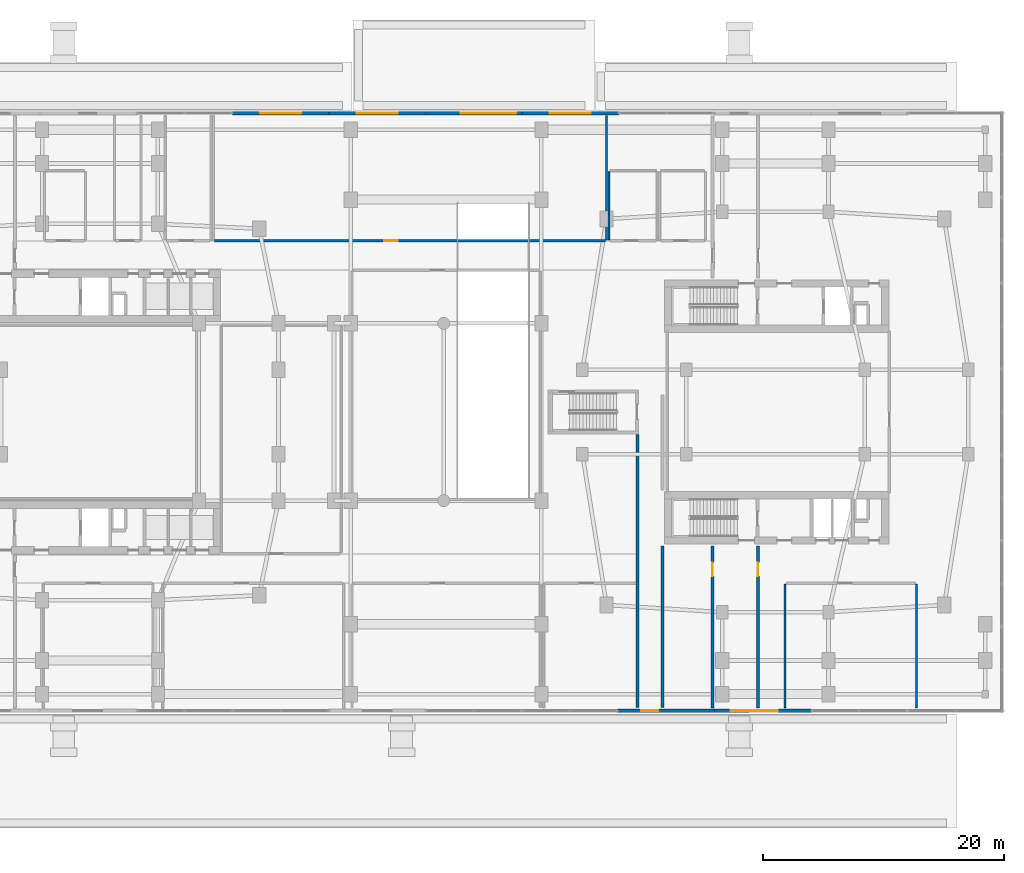
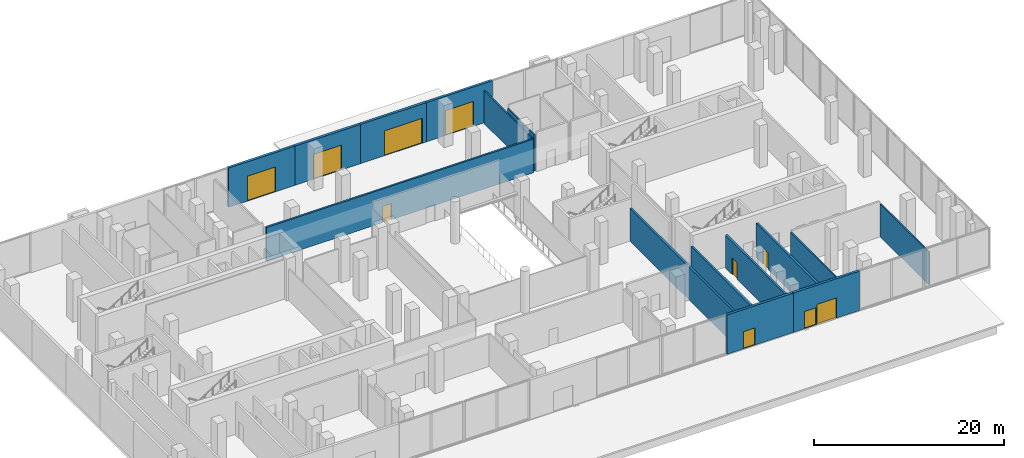
# One storey, part 15 of 24: 15 walls, 10 doors, 10 openings.
"""IFC4 building model written with IfcOpenShell, lengths in metres."""

import ifcopenshell
import ifcopenshell.guid

model = None  # the IFC model being written
_history = None  # IfcOwnerHistory: only IFC2X3 demands one
_inside = {}  # id of a spatial element -> (the spatial element, [elements in it])
_under = {}  # id of a project, library or spatial element -> (it, [spatial elements below it])
_declared = {}  # id of a project -> (the project, [libraries it declares])
_typed = {}  # id of a type object -> (the type object, [elements of that type])
_made_of = {}  # id of a material, layer set ... -> (it, [elements and type objects made of it])


def new_model(schema):
    """Start an empty IFC model of exactly this schema.

    Asked for "IFC4X3", IfcOpenShell would pick the latest addendum, in which some entities
    have other attributes; the version numbers below select the first issue.
    IFC2X3 requires an IfcOwnerHistory on every rooted entity: one is made here for all.
    """
    global model, _history
    if schema == "IFC4X3":
        model = ifcopenshell.file(schema_version=(4, 3, 0, 0))
    else:
        model = ifcopenshell.file(schema=schema)
    _inside.clear()
    _under.clear()
    _declared.clear()
    _typed.clear()
    _made_of.clear()
    _history = None
    if model.schema == "IFC2X3":
        org = make("IfcOrganization", Name="unknown")
        user = make(
            "IfcPersonAndOrganization",
            ThePerson=make("IfcPerson", FamilyName="unknown"),
            TheOrganization=org,
        )
        app = make(
            "IfcApplication",
            ApplicationDeveloper=org,
            Version="unknown",
            ApplicationFullName="unknown",
            ApplicationIdentifier="unknown",
        )
        _history = make(
            "IfcOwnerHistory",
            OwningUser=user,
            OwningApplication=app,
            ChangeAction="ADDED",
            CreationDate=0,
        )
    return model


def make(cls, **values):
    """One entity of the class cls with the attributes given. An attribute that is None is left unset."""
    return model.create_entity(
        cls, **{name: value for name, value in values.items() if value is not None}
    )


def rooted(cls, **values):
    """An entity with a GlobalId (a new one), such as an element, a storey or a relation."""
    return make(cls, GlobalId=ifcopenshell.guid.new(), OwnerHistory=_history, **values)


def si_unit(unit_type, name, prefix=None):
    """IfcSIUnit, for example si_unit("LENGTHUNIT", "METRE", prefix="MILLI")."""
    return make("IfcSIUnit", UnitType=unit_type, Prefix=prefix, Name=name)


def derived_unit(unit_type, elements):
    """IfcDerivedUnit: a product of units, each with its exponent."""
    return make(
        "IfcDerivedUnit",
        Elements=[
            make("IfcDerivedUnitElement", Unit=unit, Exponent=power)
            for unit, power in elements
        ],
        UnitType=unit_type,
    )


def assignment(units):
    """IfcUnitAssignment: the units of a project."""
    return None if units is None else make("IfcUnitAssignment", Units=units)


def point(xyz):
    """IfcCartesianPoint."""
    return None if xyz is None else make("IfcCartesianPoint", Coordinates=xyz)


def direction(xyz):
    """IfcDirection."""
    return None if xyz is None else make("IfcDirection", DirectionRatios=xyz)


def frame(location, z_axis=None, x_axis=None):
    """IfcAxis2Placement3D, a coordinate frame: its origin and axes. An axis left out is left unset."""
    return make(
        "IfcAxis2Placement3D",
        Location=point(location),
        Axis=direction(z_axis),
        RefDirection=direction(x_axis),
    )


def frame_2d(location, x_axis=None):
    """IfcAxis2Placement2D, a coordinate frame in the plane: its origin and x axis."""
    return make(
        "IfcAxis2Placement2D", Location=point(location), RefDirection=direction(x_axis)
    )


def origin():
    """The frame at (0, 0, 0) with its axes left unset."""
    return frame((0.0, 0.0, 0.0))


def place(relative_to, where):
    """IfcLocalPlacement: puts the frame where relative to a parent placement (None: the world)."""
    return make(
        "IfcLocalPlacement", PlacementRelTo=relative_to, RelativePlacement=where
    )


def context(
    kind, dimensions, precision=None, world=None, true_north=None, identifier=None
):
    """IfcGeometricRepresentationContext, for example the 3D "Model" context."""
    return make(
        "IfcGeometricRepresentationContext",
        ContextIdentifier=identifier,
        ContextType=kind,
        CoordinateSpaceDimension=dimensions,
        Precision=precision,
        WorldCoordinateSystem=world,
        TrueNorth=true_north,
    )


def subcontext(parent, identifier, kind, view, scale=None):
    """IfcGeometricRepresentationSubContext, for example "Body" below "Model"."""
    return make(
        "IfcGeometricRepresentationSubContext",
        ContextIdentifier=identifier,
        ContextType=kind,
        ParentContext=parent,
        TargetScale=scale,
        TargetView=view,
    )


def project(units=None, contexts=None):
    """IfcProject with its units and contexts."""
    return rooted(
        "IfcProject",
        Name="project",
        RepresentationContexts=contexts,
        UnitsInContext=assignment(units),
    )


def spatial(cls, under=None, at=None, **own):
    """A site, building, storey or space (cls), placed at a placement, below another one or the project."""
    s = rooted(cls, ObjectPlacement=at, **own)
    if under is not None:
        _under.setdefault(under.id(), (under, []))[1].append(s)
    return s


def profile(cls, at=None, kind="AREA", **sizes):
    """A parametric profile (cls). Its sizes go by their IFC names, for example OverallWidth=200.0."""
    return make(cls, ProfileType=kind, Position=at, **sizes)


def rectangle(**sizes):
    """IfcRectangleProfileDef."""
    return profile("IfcRectangleProfileDef", **sizes)


def extrude(swept, where, along, depth):
    """IfcExtrudedAreaSolid: the profile swept, set in the frame where, extruded along a direction by depth."""
    return make(
        "IfcExtrudedAreaSolid",
        SweptArea=swept,
        Position=where,
        ExtrudedDirection=direction(along),
        Depth=depth,
    )


def shape(context_of_items, identifier, shape_type, items):
    """IfcShapeRepresentation: the items that make up one representation, for example the "Body"."""
    return make(
        "IfcShapeRepresentation",
        ContextOfItems=context_of_items,
        RepresentationIdentifier=identifier,
        RepresentationType=shape_type,
        Items=items,
    )


def material(Name=None, Category=None):
    """IfcMaterial."""
    return make("IfcMaterial", Name=Name, Category=Category)


def layer(
    of_material, thickness, ventilated=None, Name=None, Category=None, Priority=None
):
    """IfcMaterialLayer: one layer of a wall or slab, of a material (None: an air gap)."""
    return make(
        "IfcMaterialLayer",
        Material=of_material,
        LayerThickness=thickness,
        IsVentilated=ventilated,
        Name=Name,
        Category=Category,
        Priority=Priority,
    )


def layer_set(layers, Name=None):
    """IfcMaterialLayerSet."""
    return make("IfcMaterialLayerSet", MaterialLayers=layers, LayerSetName=Name)


def made_of(thing, what):
    """Note that an element or type object is made of a material, layer set ...; save() writes the relation."""
    if what is not None:
        _made_of.setdefault(what.id(), (what, []))[1].append(thing)
    return thing


def type_object(cls, material=None, **own):
    """A type object (cls), such as IfcWallType, which elements share."""
    return made_of(rooted(cls, **own), material)


def element(
    cls,
    number,
    at=None,
    inside=None,
    cuts=None,
    type_object=None,
    material=None,
    context=None,
    identifier="Body",
    shape_type=None,
    held_by="IfcProductDefinitionShape",
    body=None,
    shapes=None,
    **own,
):
    """One element of the class cls, such as IfcWall. Its Tag is "e" and its number.

    at: its placement. inside: the storey or other place that contains it. cuts: it is an
    opening in that element (IfcRelVoidsElement). A single representation is given by context,
    identifier, shape_type and body (its items); several are given by shapes. held_by: the class
    of the entity that holds the representations. save() writes the other relations.
    """
    e = rooted(cls, Tag="e%d" % number, ObjectPlacement=at, **own)
    if body is not None:
        shapes = [shape(context, identifier, shape_type, body)]
    if shapes is not None:
        e.Representation = make(held_by, Representations=shapes)
    if inside is not None:
        _inside.setdefault(inside.id(), (inside, []))[1].append(e)
    if cuts is not None:
        rooted(
            "IfcRelVoidsElement", RelatingBuildingElement=cuts, RelatedOpeningElement=e
        )
    if type_object is not None:
        _typed.setdefault(type_object.id(), (type_object, []))[1].append(e)
    return made_of(e, material)


def fill(opening, filler):
    """IfcRelFillsElement: the door or window that sits in an opening."""
    return rooted(
        "IfcRelFillsElement",
        RelatingOpeningElement=opening,
        RelatedBuildingElement=filler,
    )


def aggregate(whole, parts):
    """IfcRelAggregates: a whole, such as a stair, and the parts it consists of."""
    return rooted("IfcRelAggregates", RelatingObject=whole, RelatedObjects=parts)


def save(model, path):
    """Write the relations noted so far, then the file.

    IfcRelAggregates (storeys below a building ...), IfcRelContainedInSpatialStructure (elements
    in a storey), IfcRelDefinesByType, IfcRelAssociatesMaterial and IfcRelDeclares: one each for
    every whole, place, type object, material and project.
    """
    for whole, parts in _under.values():
        aggregate(whole, parts)
    for where, things in _inside.values():
        rooted(
            "IfcRelContainedInSpatialStructure",
            RelatedElements=things,
            RelatingStructure=where,
        )
    for kind, things in _typed.values():
        rooted("IfcRelDefinesByType", RelatedObjects=things, RelatingType=kind)
    for what, things in _made_of.values():
        rooted("IfcRelAssociatesMaterial", RelatedObjects=things, RelatingMaterial=what)
    for by, libraries in _declared.values():
        rooted("IfcRelDeclares", RelatingContext=by, RelatedDefinitions=libraries)
    model.write(path)


model = new_model("IFC4")

# Units and contexts
model_context = context("Model", 3, precision=1e-05, world=origin(), true_north=direction((0.0, 1.0)))
body_context = subcontext(model_context, "Body", "Model", "MODEL_VIEW")
ifc_project = project(units=[si_unit("LENGTHUNIT", "METRE"), si_unit("AREAUNIT", "SQUARE_METRE"), si_unit("VOLUMEUNIT", "CUBIC_METRE"), si_unit("PLANEANGLEUNIT", "RADIAN"), si_unit("MASSUNIT", "GRAM", prefix="KILO"), derived_unit("THERMALTRANSMITTANCEUNIT", [(si_unit("POWERUNIT", "WATT"), 1), (si_unit("LENGTHUNIT", "METRE"), -2), (si_unit("THERMODYNAMICTEMPERATUREUNIT", "KELVIN"), -1)])], contexts=[model_context])

# Site, building, storey
site_placement = place(None, origin())
site = spatial("IfcSite", under=ifc_project, at=site_placement, CompositionType="ELEMENT")
building_placement = place(site_placement, origin())
building = spatial("IfcBuilding", under=site, at=building_placement, Name="Kivonza Crest Hotel", CompositionType="ELEMENT")
storey_placement = place(building_placement, origin())
storey = spatial("IfcBuildingStorey", under=building, at=storey_placement, Name="L00", CompositionType="ELEMENT", Elevation=0.0)

# Wall, opening, door
ifc_material_1 = material(Name="Autoclaved aerated concrete blockwork", Category="masonry")
ifc_layer_1 = layer(ifc_material_1, 0.219970703125)
ifc_layer_set_1 = layer_set([ifc_layer_1], Name="Autoclaved aerated concrete blockwork")
wall_type_1 = type_object("IfcWallType", Name="WL-ACOU-220", PredefinedType="SOLIDWALL", material=ifc_layer_set_1)
wall_1_placement = place(storey_placement, frame((30.5, 39.199951171875, 0.0), z_axis=(0.0, 0.0, 1.0), x_axis=(1.0, 0.0, 0.0)))
wall_1 = element("IfcWall", 1, at=wall_1_placement, inside=storey, type_object=wall_type_1, Name="L00 interior partition WA-L00-LOAD-S", PredefinedType="SOLIDWALL", context=body_context, shape_type="SweptSolid", body=[
    extrude(rectangle(XDim=32.39990234375, YDim=0.219970703125, at=frame_2d((16.199951171875, 0.0))), origin(), (0.0, 0.0, 1.0), 4.324951171875),
])
opening_1_placement = place(wall_1_placement, frame((14.074951171875, 0.0, 0.0)))
opening_1 = element("IfcOpeningElement", 2, at=opening_1_placement, cuts=wall_1, Name="Opening DF-60M", PredefinedType="OPENING", context=body_context, shape_type="SweptSolid", body=[
    extrude(rectangle(XDim=1.10009765625, YDim=2.10009765625, at=frame_2d((0.550048828125, 1.050048828125))), frame((0.0, 0.1201171875, 0.0), z_axis=(0.0, -1.0, 0.0), x_axis=(1.0, 0.0, 0.0)), (0.0, 0.0, 1.0), 0.239990234375),
])
ifc_material_2 = material(Name="Hardwood timber oak", Category="wood")
door_type_1 = type_object("IfcDoorType", Name="DR-FD60-1100", OperationType="NOTDEFINED", PredefinedType="DOOR", material=ifc_material_2)
door_1_placement = place(opening_1_placement, origin())
door_1 = element("IfcDoor", 3, at=door_1_placement, inside=storey, type_object=door_type_1, Name="L00 Loading Bay and Goods Receiving door", OperationType="SINGLE_SWING_RIGHT", OverallHeight=2.10009765625, OverallWidth=1.10009765625, PredefinedType="DOOR", context=body_context, shape_type="SweptSolid", body=[
    extrude(rectangle(XDim=1.10009765625, YDim=2.10009765625, at=frame_2d((0.550048828125, 1.050048828125))), frame((0.0, 0.02490234375, 0.0), z_axis=(0.0, -1.0, 0.0), x_axis=(1.0, 0.0, 0.0)), (0.0, 0.0, 1.0), 0.050048828125),
])
fill(opening_1, door_1)

ifc_material_3 = material(Name="Precast concrete C40/50", Category="concrete")
ifc_layer_2 = layer(ifc_material_3, 0.300048828125)
ifc_layer_set_2 = layer_set([ifc_layer_2], Name="Precast concrete C40/50")
wall_type_2 = type_object("IfcWallType", Name="WL-EXT-300", PredefinedType="STANDARD", material=ifc_layer_set_2)
wall_2_placement = place(storey_placement, frame((63.91796875, 0.22998046875, 0.0), z_axis=(0.0, 0.0, 1.0), x_axis=(1.0, 0.0, 0.0)))
wall_2 = element("IfcWall", 4, at=wall_2_placement, inside=storey, type_object=wall_type_2, Name="L00 POD exterior insulated wall 9", PredefinedType="STANDARD", context=body_context, shape_type="SweptSolid", body=[
    extrude(rectangle(XDim=8.050048828125, YDim=0.300048828125, at=frame_2d((4.02490234375, 0.0))), origin(), (0.0, 0.0, 1.0), 5.050048828125),
])
opening_2_placement = place(wall_2_placement, frame((1.9619140625, 0.0, 0.0)))
opening_2 = element("IfcOpeningElement", 5, at=opening_2_placement, cuts=wall_2, Name="Opening DF-120E", PredefinedType="OPENING", context=body_context, shape_type="SweptSolid", body=[
    extrude(rectangle(XDim=1.39990234375, YDim=2.199951171875, at=frame_2d((0.699951171875, 1.10009765625))), frame((0.0, 0.16015625, 0.0), z_axis=(0.0, -1.0, 0.0), x_axis=(1.0, 0.0, 0.0)), (0.0, 0.0, 1.0), 0.320068359375),
])
ifc_material_4 = material(Name="Anodised bronze aluminium and laminated safety glass", Category="aluminium")
door_type_2 = type_object("IfcDoorType", Name="DR-EXT-EXIT-1400", OperationType="NOTDEFINED", PredefinedType="DOOR", material=ifc_material_4)
door_2_placement = place(opening_2_placement, frame((1.39990234375, 0.0, 0.0), z_axis=(0.0, 0.0, 1.0), x_axis=(-1.0, 0.0, 0.0)))
door_2 = element("IfcDoor", 6, at=door_2_placement, inside=storey, type_object=door_type_2, Name="L00 East Podium Protected Exit Passage final exit door", OperationType="DOUBLE_DOOR_SINGLE_SWING", OverallHeight=2.199951171875, OverallWidth=1.39990234375, PredefinedType="DOOR", context=body_context, shape_type="SweptSolid", body=[
    extrude(rectangle(XDim=1.39990234375, YDim=2.199951171875, at=frame_2d((0.699951171875, 1.10009765625))), frame((0.0, 0.02490234375, 0.0), z_axis=(0.0, -1.0, 0.0), x_axis=(1.0, 0.0, 0.0)), (0.0, 0.0, 1.0), 0.050048828125),
])
fill(opening_2, door_2)

# Wall, openings, doors
wall_3_placement = place(storey_placement, frame((71.951904296875, 0.22998046875, 0.0), z_axis=(0.0, 0.0, 1.0), x_axis=(1.0, 0.0, 0.0)))
wall_3 = element("IfcWall", 7, at=wall_3_placement, inside=storey, type_object=wall_type_2, Name="L00 POD exterior insulated wall 10", PredefinedType="STANDARD", context=body_context, shape_type="SweptSolid", body=[
    extrude(rectangle(XDim=8.050048828125, YDim=0.300048828125, at=frame_2d((4.02490234375, 0.0))), origin(), (0.0, 0.0, 1.0), 5.050048828125),
])
opening_3_placement = place(wall_3_placement, frame((1.347900390625, 0.0, 0.0)))
opening_3 = element("IfcOpeningElement", 8, at=opening_3_placement, cuts=wall_3, Name="Opening DF-120E", PredefinedType="OPENING", context=body_context, shape_type="SweptSolid", body=[
    extrude(rectangle(XDim=1.39990234375, YDim=2.199951171875, at=frame_2d((0.699951171875, 1.10009765625))), frame((0.0, 0.16015625, 0.0), z_axis=(0.0, -1.0, 0.0), x_axis=(1.0, 0.0, 0.0)), (0.0, 0.0, 1.0), 0.320068359375),
])
opening_4_placement = place(wall_3_placement, frame((2.847900390625, 0.0, 0.0)))
opening_4 = element("IfcOpeningElement", 9, at=opening_4_placement, cuts=wall_3, Name="Opening DE-240", PredefinedType="OPENING", context=body_context, shape_type="SweptSolid", body=[
    extrude(rectangle(XDim=2.39990234375, YDim=2.60009765625, at=frame_2d((1.199951171875, 1.300048828125))), frame((0.0, 0.16015625, 0.0), z_axis=(0.0, -1.0, 0.0), x_axis=(1.0, 0.0, 0.0)), (0.0, 0.0, 1.0), 0.320068359375),
])
door_type_3 = type_object("IfcDoorType", Name="DR-ENT-2400", OperationType="NOTDEFINED", PredefinedType="DOOR", material=ifc_material_4)
door_3_placement = place(opening_4_placement, frame((2.39990234375, 0.0, 0.0), z_axis=(0.0, 0.0, 1.0), x_axis=(-1.0, 0.0, 0.0)))
door_3 = element("IfcDoor", 10, at=door_3_placement, inside=storey, type_object=door_type_3, Name="L00 Residential companion lobby street entrance doors", OperationType="DOUBLE_DOOR_SINGLE_SWING", OverallHeight=2.60009765625, OverallWidth=2.39990234375, PredefinedType="DOOR", context=body_context, shape_type="SweptSolid", body=[
    extrude(rectangle(XDim=2.39990234375, YDim=2.60009765625, at=frame_2d((1.199951171875, 1.300048828125))), frame((0.0, 0.02490234375, 0.0), z_axis=(0.0, -1.0, 0.0), x_axis=(1.0, 0.0, 0.0)), (0.0, 0.0, 1.0), 0.050048828125),
])
fill(opening_4, door_3)
door_4_placement = place(opening_3_placement, frame((1.39990234375, 0.0, 0.0), z_axis=(0.0, 0.0, 1.0), x_axis=(-1.0, 0.0, 0.0)))
door_4 = element("IfcDoor", 11, at=door_4_placement, inside=storey, type_object=door_type_2, Name="L00 T2 South Protected Exit Passage final exit door", OperationType="DOUBLE_DOOR_SINGLE_SWING", OverallHeight=2.199951171875, OverallWidth=1.39990234375, PredefinedType="DOOR", context=body_context, shape_type="SweptSolid", body=[
    extrude(rectangle(XDim=1.39990234375, YDim=2.199951171875, at=frame_2d((0.699951171875, 1.10009765625))), frame((0.0, 0.02490234375, 0.0), z_axis=(0.0, -1.0, 0.0), x_axis=(1.0, 0.0, 0.0)), (0.0, 0.0, 1.0), 0.050048828125),
])
fill(opening_3, door_4)

# Wall, opening, door
wall_4_placement = place(storey_placement, frame((64.028076171875, 49.77001953125, 0.0), z_axis=(0.0, 0.0, 1.0), x_axis=(-1.0, 0.0, 0.0)))
wall_4 = element("IfcWall", 12, at=wall_4_placement, inside=storey, type_object=wall_type_2, Name="L00 POD exterior insulated wall 24", PredefinedType="STANDARD", context=body_context, shape_type="SweptSolid", body=[
    extrude(rectangle(XDim=8.049072265625, YDim=0.300048828125, at=frame_2d((4.0244140625, 0.0))), origin(), (0.0, 0.0, 1.0), 5.050048828125),
])
opening_5_placement = place(wall_4_placement, frame((2.327880859375, 0.0, 0.0)))
opening_5 = element("IfcOpeningElement", 13, at=opening_5_placement, cuts=wall_4, Name="Opening DG-LOAD-01", PredefinedType="OPENING", context=body_context, shape_type="SweptSolid", body=[
    extrude(rectangle(XDim=3.39990234375, YDim=3.199951171875, at=frame_2d((1.699951171875, 1.60009765625))), frame((0.0, 0.16015625, 0.0), z_axis=(0.0, -1.0, 0.0), x_axis=(1.0, 0.0, 0.0)), (0.0, 0.0, 1.0), 0.320068359375),
])
ifc_material_5 = material(Name="Galvanised powder-coated steel", Category="steel")
door_type_4 = type_object("IfcDoorType", Name="DR-GATE-3400", OperationType="NOTDEFINED", PredefinedType="GATE", material=ifc_material_5)
door_5_placement = place(opening_5_placement, frame((3.39990234375, 0.0, 0.0), z_axis=(0.0, 0.0, 1.0), x_axis=(-1.0, 0.0, 0.0)))
door_5 = element("IfcDoor", 14, at=door_5_placement, inside=storey, type_object=door_type_4, Name="Ground loading and service bay roller shutter gate 3", OperationType="ROLLINGUP", OverallHeight=3.199951171875, OverallWidth=3.39990234375, PredefinedType="GATE", context=body_context, shape_type="SweptSolid", body=[
    extrude(rectangle(XDim=3.39990234375, YDim=3.199951171875, at=frame_2d((1.699951171875, 1.60009765625))), frame((0.0, 0.02490234375, 0.0), z_axis=(0.0, -1.0, 0.0), x_axis=(1.0, 0.0, 0.0)), (0.0, 0.0, 1.0), 0.050048828125),
])
fill(opening_5, door_5)

wall_5_placement = place(storey_placement, frame((55.9951171875, 49.77001953125, 0.0), z_axis=(0.0, 0.0, 1.0), x_axis=(-1.0, 0.0, 0.0)))
wall_5 = element("IfcWall", 15, at=wall_5_placement, inside=storey, type_object=wall_type_2, Name="L00 POD exterior insulated wall 25", PredefinedType="STANDARD", context=body_context, shape_type="SweptSolid", body=[
    extrude(rectangle(XDim=8.003173828125, YDim=0.300048828125, at=frame_2d((4.00146484375, 0.0))), origin(), (0.0, 0.0, 1.0), 5.050048828125),
])
opening_6_placement = place(wall_5_placement, frame((0.4951171875, 0.0, 0.0)))
opening_6 = element("IfcOpeningElement", 16, at=opening_6_placement, cuts=wall_5, Name="Opening DG-RAMP-01", PredefinedType="OPENING", context=body_context, shape_type="SweptSolid", body=[
    extrude(rectangle(XDim=4.60009765625, YDim=3.199951171875, at=frame_2d((2.300048828125, 1.60009765625))), frame((0.0, 0.16015625, 0.0), z_axis=(0.0, -1.0, 0.0), x_axis=(1.0, 0.0, 0.0)), (0.0, 0.0, 1.0), 0.320068359375),
])
door_type_5 = type_object("IfcDoorType", Name="DR-GATE-4600", OperationType="NOTDEFINED", PredefinedType="GATE", material=ifc_material_5)
door_6_placement = place(opening_6_placement, frame((4.60009765625, 0.0, 0.0), z_axis=(0.0, 0.0, 1.0), x_axis=(-1.0, 0.0, 0.0)))
door_6 = element("IfcDoor", 17, at=door_6_placement, inside=storey, type_object=door_type_5, Name="Basement car park vehicle ramp roller shutter gate DG-RAMP-01", OperationType="ROLLINGUP", OverallHeight=3.199951171875, OverallWidth=4.60009765625, PredefinedType="GATE", context=body_context, shape_type="SweptSolid", body=[
    extrude(rectangle(XDim=4.60009765625, YDim=3.199951171875, at=frame_2d((2.300048828125, 1.60009765625))), frame((0.0, 0.02490234375, 0.0), z_axis=(0.0, -1.0, 0.0), x_axis=(1.0, 0.0, 0.0)), (0.0, 0.0, 1.0), 0.050048828125),
])
fill(opening_6, door_6)

wall_6_placement = place(storey_placement, frame((48.008056640625, 49.77001953125, 0.0), z_axis=(0.0, 0.0, 1.0), x_axis=(-1.0, 0.0, 0.0)))
wall_6 = element("IfcWall", 18, at=wall_6_placement, inside=storey, type_object=wall_type_2, Name="L00 POD exterior insulated wall 26", PredefinedType="STANDARD", context=body_context, shape_type="SweptSolid", body=[
    extrude(rectangle(XDim=8.003173828125, YDim=0.300048828125, at=frame_2d((4.00146484375, 0.0))), origin(), (0.0, 0.0, 1.0), 5.050048828125),
])
opening_7_placement = place(wall_6_placement, frame((2.30810546875, 0.0, 0.0)))
opening_7 = element("IfcOpeningElement", 19, at=opening_7_placement, cuts=wall_6, Name="Opening DG-LOAD-01", PredefinedType="OPENING", context=body_context, shape_type="SweptSolid", body=[
    extrude(rectangle(XDim=3.39990234375, YDim=3.199951171875, at=frame_2d((1.699951171875, 1.60009765625))), frame((0.0, 0.16015625, 0.0), z_axis=(0.0, -1.0, 0.0), x_axis=(1.0, 0.0, 0.0)), (0.0, 0.0, 1.0), 0.320068359375),
])
door_7_placement = place(opening_7_placement, frame((3.39990234375, 0.0, 0.0), z_axis=(0.0, 0.0, 1.0), x_axis=(-1.0, 0.0, 0.0)))
door_7 = element("IfcDoor", 20, at=door_7_placement, inside=storey, type_object=door_type_4, Name="Ground loading and service bay roller shutter gate 2", OperationType="ROLLINGUP", OverallHeight=3.199951171875, OverallWidth=3.39990234375, PredefinedType="GATE", context=body_context, shape_type="SweptSolid", body=[
    extrude(rectangle(XDim=3.39990234375, YDim=3.199951171875, at=frame_2d((1.699951171875, 1.60009765625))), frame((0.0, 0.02490234375, 0.0), z_axis=(0.0, -1.0, 0.0), x_axis=(1.0, 0.0, 0.0)), (0.0, 0.0, 1.0), 0.050048828125),
])
fill(opening_7, door_7)

wall_7_placement = place(storey_placement, frame((40.02099609375, 49.77001953125, 0.0), z_axis=(0.0, 0.0, 1.0), x_axis=(-1.0, 0.0, 0.0)))
wall_7 = element("IfcWall", 21, at=wall_7_placement, inside=storey, type_object=wall_type_2, Name="L00 POD exterior insulated wall 27", PredefinedType="STANDARD", context=body_context, shape_type="SweptSolid", body=[
    extrude(rectangle(XDim=8.049072265625, YDim=0.300048828125, at=frame_2d((4.0244140625, 0.0))), origin(), (0.0, 0.0, 1.0), 5.050048828125),
])
opening_8_placement = place(wall_7_placement, frame((2.321044921875, 0.0, 0.0)))
opening_8 = element("IfcOpeningElement", 22, at=opening_8_placement, cuts=wall_7, Name="Opening DG-LOAD-01", PredefinedType="OPENING", context=body_context, shape_type="SweptSolid", body=[
    extrude(rectangle(XDim=3.39990234375, YDim=3.199951171875, at=frame_2d((1.699951171875, 1.60009765625))), frame((0.0, 0.16015625, 0.0), z_axis=(0.0, -1.0, 0.0), x_axis=(1.0, 0.0, 0.0)), (0.0, 0.0, 1.0), 0.320068359375),
])
door_8_placement = place(opening_8_placement, frame((3.39990234375, 0.0, 0.0), z_axis=(0.0, 0.0, 1.0), x_axis=(-1.0, 0.0, 0.0)))
door_8 = element("IfcDoor", 23, at=door_8_placement, inside=storey, type_object=door_type_4, Name="Ground loading and service bay roller shutter gate 1", OperationType="ROLLINGUP", OverallHeight=3.199951171875, OverallWidth=3.39990234375, PredefinedType="GATE", context=body_context, shape_type="SweptSolid", body=[
    extrude(rectangle(XDim=3.39990234375, YDim=3.199951171875, at=frame_2d((1.699951171875, 1.60009765625))), frame((0.0, 0.02490234375, 0.0), z_axis=(0.0, -1.0, 0.0), x_axis=(1.0, 0.0, 0.0)), (0.0, 0.0, 1.0), 0.050048828125),
])
fill(opening_8, door_8)

ifc_material_6 = material(Name="Concrete blockwork fire-compartment wall", Category="masonry")
ifc_layer_3 = layer(ifc_material_6, 0.25)
ifc_layer_set_3 = layer_set([ifc_layer_3], Name="Concrete blockwork fire-compartment wall")
wall_type_3 = type_object("IfcWallType", Name="WL-FIRE-250", PredefinedType="SOLIDWALL", material=ifc_layer_set_3)
wall_8_placement = place(storey_placement, frame((71.800048828125, 0.449951171875, 0.0), z_axis=(0.0, 0.0, 1.0), x_axis=(0.0, 1.0, 0.0)))
wall_8 = element("IfcWall", 24, at=wall_8_placement, inside=storey, type_object=wall_type_3, Name="L00 interior partition WA-L00-EX-T2S-W", PredefinedType="SOLIDWALL", context=body_context, shape_type="SweptSolid", body=[
    extrude(rectangle(XDim=13.449951171875, YDim=0.25, at=frame_2d((6.72509765625, 0.0))), origin(), (0.0, 0.0, 1.0), 4.22509765625),
])
opening_9_placement = place(wall_8_placement, frame((10.949951171875, 0.0, 0.0)))
opening_9 = element("IfcOpeningElement", 25, at=opening_9_placement, cuts=wall_8, Name="Opening DF-120", PredefinedType="OPENING", context=body_context, shape_type="SweptSolid", body=[
    extrude(rectangle(XDim=1.10009765625, YDim=2.14990234375, at=frame_2d((0.550048828125, 1.074951171875))), frame((0.0, 0.135009765625, 0.0), z_axis=(0.0, -1.0, 0.0), x_axis=(1.0, 0.0, 0.0)), (0.0, 0.0, 1.0), 0.27001953125),
])
ifc_material_7 = material(Name="Galvanised steel", Category="steel")
door_type_6 = type_object("IfcDoorType", Name="DR-FD120-1100", OperationType="NOTDEFINED", PredefinedType="DOOR", material=ifc_material_7)
door_9_placement = place(opening_9_placement, frame((1.10009765625, 0.0, 0.0), z_axis=(0.0, 0.0, 1.0), x_axis=(-1.0, 0.0, 0.0)))
door_9 = element("IfcDoor", 26, at=door_9_placement, inside=storey, type_object=door_type_6, Name="L00 T2 South Protected Exit Passage west lobby door", OperationType="SINGLE_SWING_LEFT", OverallHeight=2.14990234375, OverallWidth=1.10009765625, PredefinedType="DOOR", context=body_context, shape_type="SweptSolid", body=[
    extrude(rectangle(XDim=1.10009765625, YDim=2.14990234375, at=frame_2d((0.550048828125, 1.074951171875))), frame((0.0, 0.02490234375, 0.0), z_axis=(0.0, -1.0, 0.0), x_axis=(1.0, 0.0, 0.0)), (0.0, 0.0, 1.0), 0.050048828125),
])
fill(opening_9, door_9)

wall_9_placement = place(storey_placement, frame((75.550048828125, 0.449951171875, 0.0), z_axis=(0.0, 0.0, 1.0), x_axis=(0.0, 1.0, 0.0)))
wall_9 = element("IfcWall", 27, at=wall_9_placement, inside=storey, type_object=wall_type_3, Name="L00 interior partition WA-L00-EX-T2S-E", PredefinedType="SOLIDWALL", context=body_context, shape_type="SweptSolid", body=[
    extrude(rectangle(XDim=13.449951171875, YDim=0.25, at=frame_2d((6.72509765625, 0.0))), origin(), (0.0, 0.0, 1.0), 4.425048828125),
])
opening_10_placement = place(wall_9_placement, frame((10.949951171875, 0.0, 0.0)))
opening_10 = element("IfcOpeningElement", 28, at=opening_10_placement, cuts=wall_9, Name="Opening DF-120", PredefinedType="OPENING", context=body_context, shape_type="SweptSolid", body=[
    extrude(rectangle(XDim=1.10009765625, YDim=2.14990234375, at=frame_2d((0.550048828125, 1.074951171875))), frame((0.0, 0.135009765625, 0.0), z_axis=(0.0, -1.0, 0.0), x_axis=(1.0, 0.0, 0.0)), (0.0, 0.0, 1.0), 0.27001953125),
])
door_10_placement = place(opening_10_placement, origin())
door_10 = element("IfcDoor", 29, at=door_10_placement, inside=storey, type_object=door_type_6, Name="L00 T2 South Protected Exit Passage east lobby door", OperationType="SINGLE_SWING_RIGHT", OverallHeight=2.14990234375, OverallWidth=1.10009765625, PredefinedType="DOOR", context=body_context, shape_type="SweptSolid", body=[
    extrude(rectangle(XDim=1.10009765625, YDim=2.14990234375, at=frame_2d((0.550048828125, 1.074951171875))), frame((0.0, 0.02490234375, 0.0), z_axis=(0.0, -1.0, 0.0), x_axis=(1.0, 0.0, 0.0)), (0.0, 0.0, 1.0), 0.050048828125),
])
fill(opening_10, door_10)

# Walls
wall_10_placement = place(storey_placement, frame((65.550048828125, 0.47998046875, 0.0), z_axis=(0.0, 0.0, 1.0), x_axis=(0.0, 1.0, 0.0)))
element("IfcWall", 30, at=wall_10_placement, inside=storey, type_object=wall_type_3, Name="L00 interior partition WA-L00-PODE-EX-W", PredefinedType="SOLIDWALL", context=body_context, shape_type="SweptSolid", body=[
    extrude(rectangle(XDim=22.669921875, YDim=0.25, at=frame_2d((11.3349609375, 0.0))), origin(), (0.0, 0.0, 1.0), 4.22509765625),
])
wall_11_placement = place(storey_placement, frame((67.6201171875, 0.47998046875, 0.0), z_axis=(0.0, 0.0, 1.0), x_axis=(0.0, 1.0, 0.0)))
element("IfcWall", 31, at=wall_11_placement, inside=storey, type_object=wall_type_3, Name="L00 interior partition WA-L00-PODE-EX-E1", PredefinedType="SOLIDWALL", context=body_context, shape_type="SweptSolid", body=[
    extrude(rectangle(XDim=13.419921875, YDim=0.25, at=frame_2d((6.7099609375, 0.0))), origin(), (0.0, 0.0, 1.0), 4.22509765625),
])
ifc_material_8 = material(Name="Twin-stud acoustic gypsum board partition", Category="gypsum")
ifc_layer_4 = layer(ifc_material_8, 0.14990234375)
ifc_layer_set_4 = layer_set([ifc_layer_4], Name="Twin-stud acoustic gypsum board partition")
wall_type_4 = type_object("IfcWallType", Name="WL-PART-150", PredefinedType="PARTITIONING", material=ifc_layer_set_4)
wall_12_placement = place(storey_placement, frame((77.800048828125, 0.47998046875, 0.0), z_axis=(0.0, 0.0, 1.0), x_axis=(0.0, 1.0, 0.0)))
element("IfcWall", 32, at=wall_12_placement, inside=storey, type_object=wall_type_4, Name="L00 interior partition WP-L00-RES-VEST-BW", PredefinedType="PARTITIONING", context=body_context, shape_type="SweptSolid", body=[
    extrude(rectangle(XDim=10.219970703125, YDim=0.14990234375, at=frame_2d((5.10986328125, 0.0))), origin(), (0.0, 0.0, 1.0), 4.425048828125),
])
wall_13_placement = place(storey_placement, frame((88.699951171875, 0.47998046875, 0.0), z_axis=(0.0, 0.0, 1.0), x_axis=(0.0, 1.0, 0.0)))
element("IfcWall", 33, at=wall_13_placement, inside=storey, type_object=wall_type_4, Name="L00 interior partition WP-L00-RES-VEST-BE", PredefinedType="PARTITIONING", context=body_context, shape_type="SweptSolid", body=[
    extrude(rectangle(XDim=10.219970703125, YDim=0.14990234375, at=frame_2d((5.10986328125, 0.0))), origin(), (0.0, 0.0, 1.0), 4.22509765625),
])
wall_14_placement = place(storey_placement, frame((63.199951171875, 39.300048828125, 0.0), z_axis=(0.0, 0.0, 1.0), x_axis=(0.0, 1.0, 0.0)))
element("IfcWall", 34, at=wall_14_placement, inside=storey, type_object=wall_type_4, Name="L00 interior partition WP-L00-MWC-BW", PredefinedType="PARTITIONING", context=body_context, shape_type="SweptSolid", body=[
    extrude(rectangle(XDim=5.599853515625, YDim=0.14990234375, at=frame_2d((2.7998046875, 0.0))), origin(), (0.0, 0.0, 1.0), 4.6650390625),
])
wall_15_placement = place(storey_placement, frame((63.0, 39.300048828125, 0.0), z_axis=(0.0, 0.0, 1.0), x_axis=(0.0, 1.0, 0.0)))
element("IfcWall", 35, at=wall_15_placement, inside=storey, type_object=wall_type_4, Name="L00 interior partition WP-L00-LOAD-BE", PredefinedType="PARTITIONING", context=body_context, shape_type="SweptSolid", body=[
    extrude(rectangle(XDim=10.25, YDim=0.14990234375, at=frame_2d((5.125, 0.0))), origin(), (0.0, 0.0, 1.0), 4.22509765625),
])

save(model, "model.ifc")
